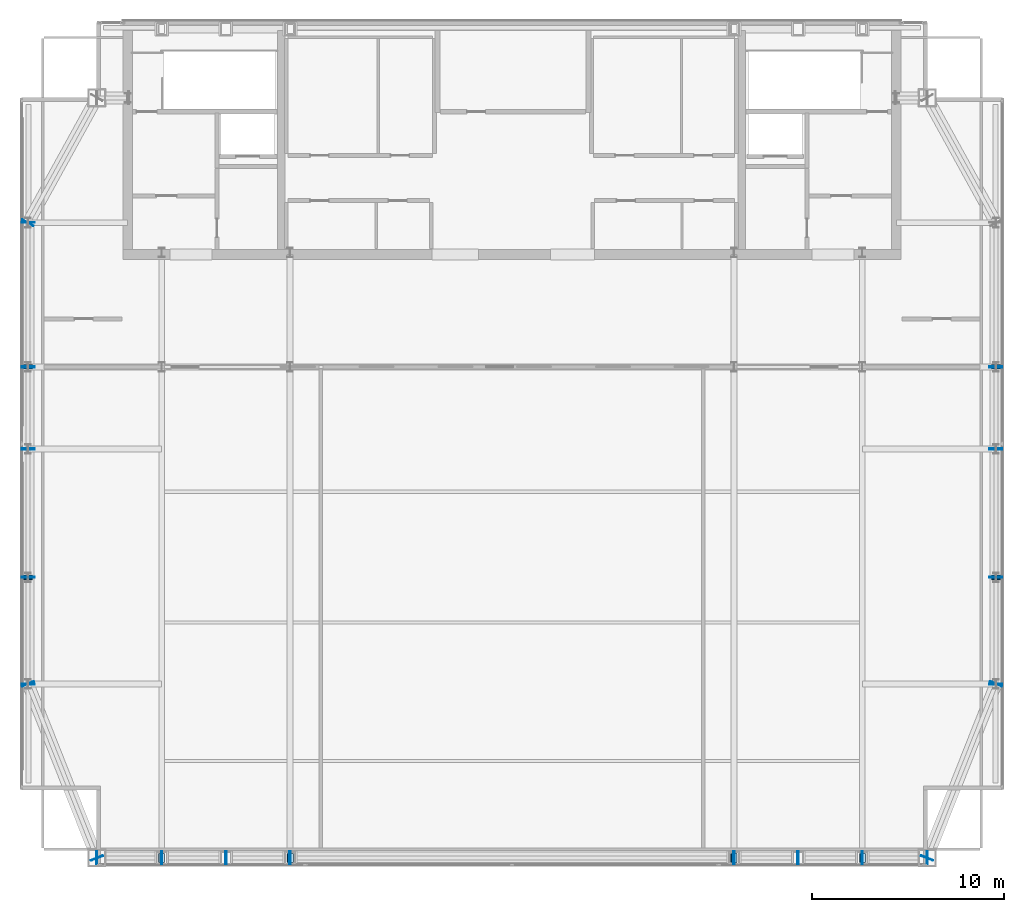
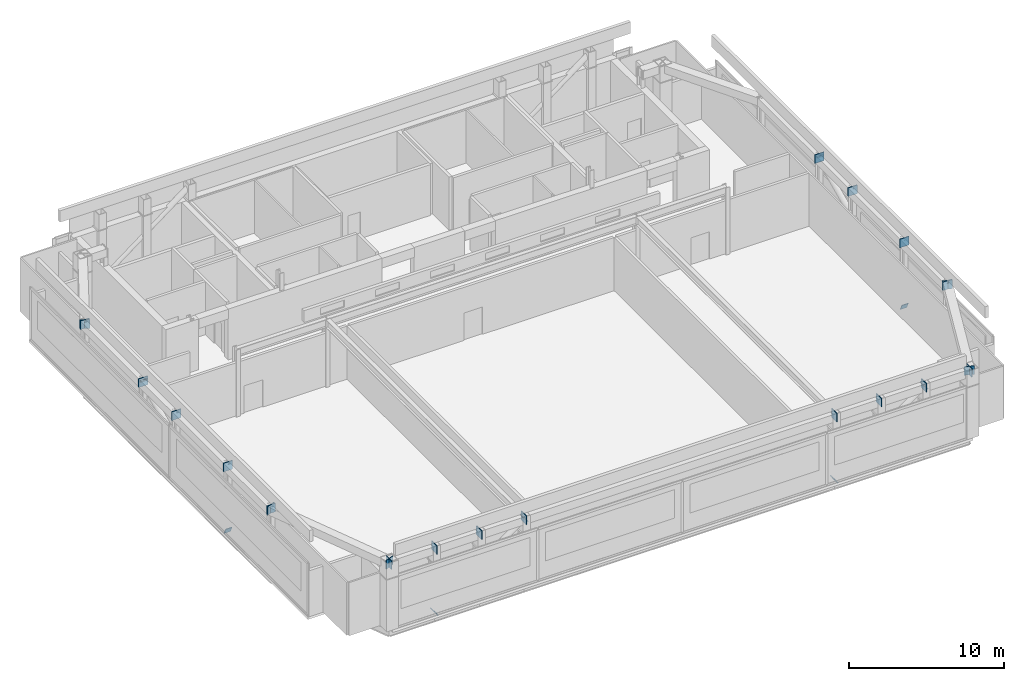
# One storey, part 19 of 24: 42 plates.
"""IFC4 building model written with IfcOpenShell, lengths in metres."""

from ifc_helpers import new_model, si_unit, direction, frame, origin, origin_2d, place, context, subcontext, project, spatial, polyline, rectangle, outline, extrude, material, layer, layer_set, type_object, element, save


model = new_model("IFC4")

# Units and contexts
model_context = context("Model", 3, precision=1e-05, world=origin(), true_north=direction((0.0, 1.0)))
body_context = subcontext(model_context, "Body", "Model", "MODEL_VIEW")
ifc_project = project(units=[si_unit("LENGTHUNIT", "METRE"), si_unit("AREAUNIT", "SQUARE_METRE"), si_unit("VOLUMEUNIT", "CUBIC_METRE"), si_unit("PLANEANGLEUNIT", "RADIAN"), si_unit("MASSUNIT", "GRAM", prefix="KILO")], contexts=[model_context])

# Site, building, storey
site_placement = place(None, origin())
site = spatial("IfcSite", under=ifc_project, at=site_placement, CompositionType="ELEMENT")
building_placement = place(site_placement, origin())
building = spatial("IfcBuilding", under=site, at=building_placement, Name="Khoronbel Lancet Exchange", CompositionType="ELEMENT")
storey_placement = place(building_placement, frame((0.0, 0.0, 378.60009765625)))
storey = spatial("IfcBuildingStorey", under=building, at=storey_placement, Name="L96", CompositionType="ELEMENT", Elevation=378.60009765625)

# Plates
ifc_material = material(Name="Steel S460", Category="steel")
ifc_layer = layer(ifc_material, 0.044921875, Name="Steel S460")
ifc_layer_set = layer_set([ifc_layer], Name="Steel S460")
plate_type = type_object("IfcPlateType", Name="PLT-ECP1", PredefinedType="USERDEFINED", material=ifc_layer_set)
for number, where, z_axis, x_axis, name in (
    (1, (14.840087890625, 10.14990234375, 4.7099609375), (0.0, 0.0, 1.0), (-1.0, 0.0, 0.0), "Hollow end cap plate PLT-CAP-BM-L96-CROWN-RB01-0"),
    (2, (18.235107421875, 10.14990234375, 4.7099609375), (0.0, 0.0, 1.0), (1.0, 0.0, 0.0), "Hollow end cap plate PLT-CAP-BM-L96-CROWN-RB01-1"),
    (3, (18.215087890625, 10.14990234375, 4.7099609375), (0.0, 0.0, 1.0), (-1.0, 0.0, 0.0), "Hollow end cap plate PLT-CAP-BM-L96-CROWN-RB02-0"),
    (4, (21.572509765625, 10.14990234375, 4.7099609375), (0.0, 0.0, 1.0), (1.0, 0.0, 0.0), "Hollow end cap plate PLT-CAP-BM-L96-CROWN-RB02-1"),
    (5, (21.552490234375, 10.14990234375, 4.7099609375), (0.0, 0.0, 1.0), (-1.0, 0.0, 0.0), "Hollow end cap plate PLT-CAP-BM-L96-CROWN-RB03-0"),
    (6, (24.909912109375, 10.14990234375, 4.7099609375), (0.0, 0.0, 1.0), (1.0, 0.0, 0.0), "Hollow end cap plate PLT-CAP-BM-L96-CROWN-RB03-1"),
    (7, (24.889892578125, 10.14990234375, 4.7099609375), (0.0, 0.0, 1.0), (-1.0, 0.0, 0.0), "Hollow end cap plate PLT-CAP-BM-L96-CROWN-RB04-0"),
    (8, (48.010009765625, 10.14990234375, 4.7099609375), (0.0, 0.0, 1.0), (1.0, 0.0, 0.0), "Hollow end cap plate PLT-CAP-BM-L96-CROWN-RB04-1"),
    (9, (47.989990234375, 10.14990234375, 4.7099609375), (0.0, 0.0, 1.0), (-1.0, 0.0, 0.0), "Hollow end cap plate PLT-CAP-BM-L96-CROWN-RB05-0"),
    (10, (51.347412109375, 10.14990234375, 4.7099609375), (0.0, 0.0, 1.0), (1.0, 0.0, 0.0), "Hollow end cap plate PLT-CAP-BM-L96-CROWN-RB05-1"),
    (11, (51.327392578125, 10.14990234375, 4.7099609375), (0.0, 0.0, 1.0), (-1.0, 0.0, 0.0), "Hollow end cap plate PLT-CAP-BM-L96-CROWN-RB06-0"),
    (12, (54.68505859375, 10.14990234375, 4.7099609375), (0.0, 0.0, 1.0), (1.0, 0.0, 0.0), "Hollow end cap plate PLT-CAP-BM-L96-CROWN-RB06-1"),
    (13, (54.6650390625, 10.14990234375, 4.7099609375), (0.0, 0.0, 1.0), (-1.0, 0.0, 0.0), "Hollow end cap plate PLT-CAP-BM-L96-CROWN-RB07-0"),
    (14, (58.06005859375, 10.14990234375, 4.7099609375), (0.0, 0.0, 1.0), (1.0, 0.0, 0.0), "Hollow end cap plate PLT-CAP-BM-L96-CROWN-RB07-1"),
    (15, (58.04638671875, 10.140625, 4.7099609375), (0.0, 0.0, 1.0), (-0.36784487002, -0.929887171435, 0.0), "Hollow end cap plate PLT-CAP-BM-L96-CROWN-RB08-0"),
    (16, (61.6337890625, 19.209228515625, 4.7099609375), (0.0, 0.0, 1.0), (0.36784487002, 0.929887171435, 0.0), "Hollow end cap plate PLT-CAP-BM-L96-CROWN-RB08-1"),
    (17, (61.6298828125, 19.18994140625, 4.7099609375), (0.0, 0.0, 1.0), (0.0, -1.0, 0.0), "Hollow end cap plate PLT-CAP-BM-L96-CROWN-RB09-0"),
    (18, (61.6298828125, 24.760009765625, 4.7099609375), (0.0, 0.0, 1.0), (0.0, 1.0, 0.0), "Hollow end cap plate PLT-CAP-BM-L96-CROWN-RB09-1"),
    (19, (61.6298828125, 24.739990234375, 4.7099609375), (0.0, 0.0, 1.0), (0.0, -1.0, 0.0), "Hollow end cap plate PLT-CAP-BM-L96-CROWN-RB10-0"),
    (20, (61.6298828125, 31.43505859375, 4.7099609375), (0.0, 0.0, 1.0), (0.0, 1.0, 0.0), "Hollow end cap plate PLT-CAP-BM-L96-CROWN-RB10-1"),
    (21, (61.6298828125, 31.4150390625, 4.7099609375), (0.0, 0.0, 1.0), (0.0, -1.0, 0.0), "Hollow end cap plate PLT-CAP-BM-L96-CROWN-RB11-0"),
    (22, (61.6298828125, 35.7099609375, 4.7099609375), (0.0, 0.0, 1.0), (0.0, 1.0, 0.0), "Hollow end cap plate PLT-CAP-BM-L96-CROWN-RB11-1"),
    (23, (61.6298828125, 35.68994140625, 4.7099609375), (0.0, 0.0, 1.0), (0.0, -1.0, 0.0), "Hollow end cap plate PLT-CAP-BM-L96-CROWN-RB12-0"),
    (24, (11.26513671875, 43.191162109375, 4.7099609375), (0.0, 0.0, 1.0), (-0.482435973469, -0.875931236744, 0.0), "Hollow end cap plate PLT-CAP-BM-L96-CROWN-RB16-1"),
    (25, (11.27001953125, 43.2099609375, 4.7099609375), (0.0, 0.0, 1.0), (0.0, 1.0, 0.0), "Hollow end cap plate PLT-CAP-BM-L96-CROWN-RB17-0"),
    (26, (11.27001953125, 35.68994140625, 4.7099609375), (0.0, 0.0, 1.0), (0.0, -1.0, 0.0), "Hollow end cap plate PLT-CAP-BM-L96-CROWN-RB17-1"),
    (27, (11.27001953125, 35.7099609375, 4.7099609375), (0.0, 0.0, 1.0), (0.0, 1.0, 0.0), "Hollow end cap plate PLT-CAP-BM-L96-CROWN-RB18-0"),
    (28, (11.27001953125, 31.4150390625, 4.7099609375), (0.0, 0.0, 1.0), (0.0, -1.0, 0.0), "Hollow end cap plate PLT-CAP-BM-L96-CROWN-RB18-1"),
    (29, (11.27001953125, 31.43505859375, 4.7099609375), (0.0, 0.0, 1.0), (0.0, 1.0, 0.0), "Hollow end cap plate PLT-CAP-BM-L96-CROWN-RB19-0"),
    (30, (11.27001953125, 24.739990234375, 4.7099609375), (0.0, 0.0, 1.0), (0.0, -1.0, 0.0), "Hollow end cap plate PLT-CAP-BM-L96-CROWN-RB19-1"),
    (31, (11.27001953125, 24.760009765625, 4.7099609375), (0.0, 0.0, 1.0), (0.0, 1.0, 0.0), "Hollow end cap plate PLT-CAP-BM-L96-CROWN-RB20-0"),
    (32, (11.27001953125, 19.18994140625, 4.7099609375), (0.0, 0.0, 1.0), (0.0, -1.0, 0.0), "Hollow end cap plate PLT-CAP-BM-L96-CROWN-RB20-1"),
    (33, (11.266357421875, 19.209228515625, 4.7099609375), (0.0, 0.0, 1.0), (-0.36784487002, 0.929887171435, 0.0), "Hollow end cap plate PLT-CAP-BM-L96-CROWN-RB21-0"),
    (34, (14.853759765625, 10.140625, 4.7099609375), (0.0, 0.0, 1.0), (0.36784487002, -0.929887171435, 0.0), "Hollow end cap plate PLT-CAP-BM-L96-CROWN-RB21-1"),
):
    element("IfcPlate", number, at=place(storey_placement, frame(where, z_axis=z_axis, x_axis=x_axis)), inside=storey, type_object=plate_type, Name=name, ObjectType="STIFFENER_PLATE", PredefinedType="USERDEFINED", context=body_context, shape_type="SweptSolid", body=[
        extrude(rectangle(XDim=0.044921875, YDim=0.679931640625, at=origin_2d()), origin(), (0.0, 0.0, 1.0), 0.679931640625),
    ])
for number, where, z_axis, x_axis, name in (
    (35, (18.37939453125, 9.909912109375, -0.184326171875), (0.797551891423, 0.0, 0.603250346446), (0.0, 1.0, 0.0), "Hollow end cap plate PLT-CAP-MEM-L96-CROWN-BR-S1-0"),
    (36, (25.071044921875, 9.909912109375, 4.87841796875), (0.797551891423, 0.0, 0.603250346446), (0.0, 1.0, 0.0), "Hollow end cap plate PLT-CAP-MEM-L96-CROWN-BR-S1-1"),
    (37, (48.154296875, 9.909912109375, -0.184326171875), (0.797551891423, 0.0, 0.603250346446), (0.0, 1.0, 0.0), "Hollow end cap plate PLT-CAP-MEM-L96-CROWN-BR-S2-0"),
    (38, (54.84619140625, 9.909912109375, 4.87841796875), (0.797551891423, 0.0, 0.603250346446), (0.0, 1.0, 0.0), "Hollow end cap plate PLT-CAP-MEM-L96-CROWN-BR-S2-1"),
    (39, (11.510009765625, 24.861328125, -0.212890625), (0.0, 0.908123108614, 0.418703259602), (-1.0, 0.0, 0.0), "Hollow end cap plate PLT-CAP-MEM-L96-CROWN-BR-W1-0"),
):
    element("IfcPlate", number, at=place(storey_placement, frame(where, z_axis=z_axis, x_axis=x_axis)), inside=storey, type_object=plate_type, Name=name, ObjectType="STIFFENER_PLATE", PredefinedType="USERDEFINED", context=body_context, shape_type="SweptSolid", body=[
        extrude(outline(polyline([(0.0, 0.0), (0.47998046875, 0.0), (0.47998046875, 0.47998046875), (0.0, 0.47998046875), (0.0, 0.0)])), origin(), (0.0, 0.0, -1.0), 0.044921875),
    ])
plate_1_placement = place(storey_placement, frame((11.510009765625, 35.83056640625, 4.845703125), z_axis=(0.0, 0.908018896423, 0.418929210892), x_axis=(-1.0, 0.0, 0.0)))
element("IfcPlate", 40, at=plate_1_placement, inside=storey, type_object=plate_type, Name="Hollow end cap plate PLT-CAP-MEM-L96-CROWN-BR-W1-1", ObjectType="STIFFENER_PLATE", PredefinedType="USERDEFINED", context=body_context, shape_type="SweptSolid", body=[
    extrude(outline(polyline([(0.0, 0.0), (0.47998046875, 0.0), (0.47998046875, 0.480224609375), (0.0, 0.480224609375), (0.0, 0.0)])), origin(), (0.0, 0.0, -1.0), 0.044921875),
])
plate_2_placement = place(storey_placement, frame((61.8701171875, 24.861328125, -0.212890625), z_axis=(0.0, 0.908123108614, 0.418703259602), x_axis=(-1.0, 0.0, 0.0)))
element("IfcPlate", 41, at=plate_2_placement, inside=storey, type_object=plate_type, Name="Hollow end cap plate PLT-CAP-MEM-L96-CROWN-BR-E1-0", ObjectType="STIFFENER_PLATE", PredefinedType="USERDEFINED", context=body_context, shape_type="SweptSolid", body=[
    extrude(outline(polyline([(0.0, 0.0), (0.480224609375, 0.0), (0.480224609375, 0.47998046875), (0.0, 0.47998046875), (0.0, 0.0)])), origin(), (0.0, 0.0, -1.0), 0.044921875),
])
plate_3_placement = place(storey_placement, frame((61.8701171875, 35.83056640625, 4.845703125), z_axis=(0.0, 0.908018896423, 0.418929210892), x_axis=(-1.0, 0.0, 0.0)))
element("IfcPlate", 42, at=plate_3_placement, inside=storey, type_object=plate_type, Name="Hollow end cap plate PLT-CAP-MEM-L96-CROWN-BR-E1-1", ObjectType="STIFFENER_PLATE", PredefinedType="USERDEFINED", context=body_context, shape_type="SweptSolid", body=[
    extrude(outline(polyline([(0.0, 0.0), (0.480224609375, 0.0), (0.480224609375, 0.480224609375), (0.0, 0.480224609375), (0.0, 0.0)])), origin(), (0.0, 0.0, -1.0), 0.044921875),
])

save(model, "model.ifc")
